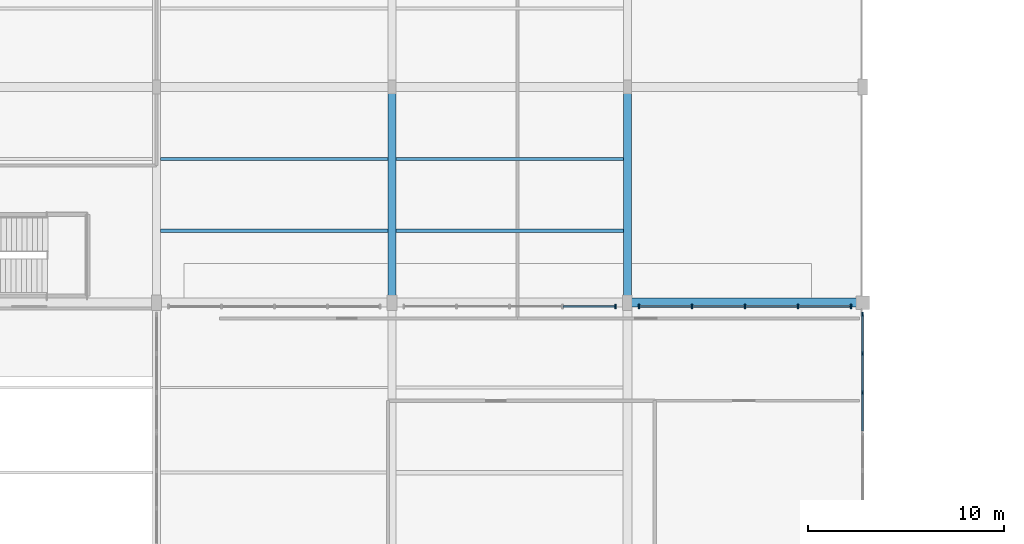
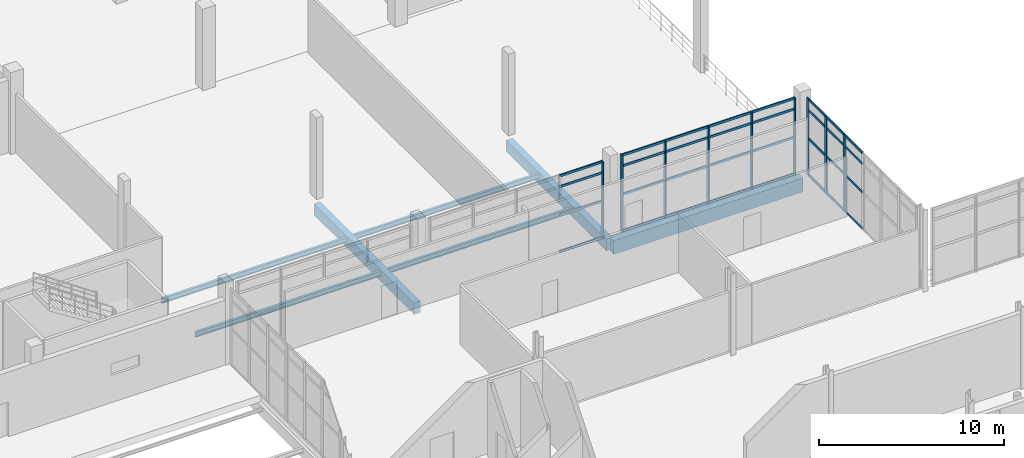
# One storey, part 27 of 85: 41 members, 7 beams, 3 elements without a shape of their own.
"""IFC4 building model written with IfcOpenShell, lengths in metres."""

from ifc_helpers import new_model, si_unit, direction, frame, origin, origin_2d, place, context, subcontext, project, spatial, rectangle, i_section, extrude, material, material_profile, profile_set, type_object, element, aggregate, save


model = new_model("IFC4")

# Units and contexts
model_context = context("Model", 3, precision=1e-05, world=origin(), true_north=direction((0.0, 1.0)))
body_context = subcontext(model_context, "Body", "Model", "MODEL_VIEW")
ifc_project = project(units=[si_unit("LENGTHUNIT", "METRE"), si_unit("AREAUNIT", "SQUARE_METRE"), si_unit("VOLUMEUNIT", "CUBIC_METRE"), si_unit("PLANEANGLEUNIT", "RADIAN"), si_unit("MASSUNIT", "GRAM", prefix="KILO"), si_unit("THERMODYNAMICTEMPERATUREUNIT", "KELVIN"), si_unit("POWERUNIT", "WATT")], contexts=[model_context])

# Site, building, storey
site_placement = place(None, origin())
site = spatial("IfcSite", under=ifc_project, at=site_placement, CompositionType="ELEMENT")
building_placement = place(site_placement, origin())
building = spatial("IfcBuilding", under=site, at=building_placement, Name="Solmara Park Aquatics Centre", CompositionType="ELEMENT")
storey_placement = place(building_placement, origin())
storey = spatial("IfcBuildingStorey", under=building, at=storey_placement, Name="L00", CompositionType="ELEMENT", Elevation=0.0)

# Curtain wall, members
ifc_material_1 = material(Name="Anodised Aluminium Curtain Wall Framing", Category="aluminium")
curtain_wall_type = type_object("IfcCurtainWallType", Name="ARC-CW-SYS02", PredefinedType="USERDEFINED", material=ifc_material_1)
curtain_wall_1_placement = place(storey_placement, origin())
curtain_wall_1 = element("IfcCurtainWall", 1, at=curtain_wall_1_placement, inside=storey, type_object=curtain_wall_type, Name="Curtain Wall CW-100", ObjectType="CURTAIN WALL", PredefinedType="USERDEFINED")
ifc_material_2 = material(Name="Anodised Aluminium Alloy 6063-T6", Category="aluminium")
ifc_material_profile_1 = material_profile(ifc_material_2, rectangle(XDim=0.074951171875, YDim=0.219970703125, at=origin_2d()), Name="ALU MULLION 75x220")
ifc_profile_set_1 = profile_set([ifc_material_profile_1], Name="Anodised Aluminium Alloy 6063-T6")
member_type_1 = type_object("IfcMemberType", Name="ARC-CWM-75x220", PredefinedType="MULLION", material=ifc_profile_set_1)
member_1_placement = place(storey_placement, frame((60.60009765625, 81.026611328125, 0.0), z_axis=(0.0, 0.0, 1.0), x_axis=(1.0, 0.0, 0.0)))
member_1 = element("IfcMember", 2, at=member_1_placement, type_object=member_type_1, Name="CW-100 mullion 2", PredefinedType="MULLION", context=body_context, shape_type="SweptSolid", body=[
    extrude(rectangle(XDim=0.074951171875, YDim=0.219970703125, at=origin_2d()), origin(), (0.0, 0.0, 1.0), 5.080078125),
])
member_2_placement = place(storey_placement, frame((60.60009765625, 83.01318359375, 0.0), z_axis=(0.0, 0.0, 1.0), x_axis=(1.0, 0.0, 0.0)))
member_2 = element("IfcMember", 3, at=member_2_placement, type_object=member_type_1, Name="CW-100 mullion 3", PredefinedType="MULLION", context=body_context, shape_type="SweptSolid", body=[
    extrude(rectangle(XDim=0.074951171875, YDim=0.219970703125, at=origin_2d()), origin(), (0.0, 0.0, 1.0), 5.080078125),
])
member_3_placement = place(storey_placement, frame((60.60009765625, 85.0, 0.0), z_axis=(0.0, 0.0, 1.0), x_axis=(1.0, 0.0, 0.0)))
member_3 = element("IfcMember", 4, at=member_3_placement, type_object=member_type_1, Name="CW-100 mullion 4", PredefinedType="MULLION", context=body_context, shape_type="SweptSolid", body=[
    extrude(rectangle(XDim=0.074951171875, YDim=0.219970703125, at=origin_2d()), origin(), (0.0, 0.0, 1.0), 5.080078125),
])

# Curtain wall, member
curtain_wall_2_placement = place(storey_placement, origin())
curtain_wall_2 = element("IfcCurtainWall", 5, at=curtain_wall_2_placement, inside=storey, type_object=curtain_wall_type, Name="Curtain Wall CW-108", ObjectType="CURTAIN WALL", PredefinedType="USERDEFINED")
member_4_placement = place(storey_placement, frame((48.0, 85.39990234375, 0.0), z_axis=(0.0, 0.0, 1.0), x_axis=(1.0, 0.0, 0.0)))
member_4 = element("IfcMember", 6, at=member_4_placement, type_object=member_type_1, Name="CW-108 mullion 5", PredefinedType="MULLION", context=body_context, shape_type="SweptSolid", body=[
    extrude(rectangle(XDim=0.074951171875, YDim=0.219970703125, at=origin_2d()), origin(), (0.0, 0.0, 1.0), 5.080078125),
])

# Curtain wall, members
curtain_wall_3_placement = place(storey_placement, origin())
curtain_wall_3 = element("IfcCurtainWall", 7, at=curtain_wall_3_placement, inside=storey, type_object=curtain_wall_type, Name="Curtain Wall CW-109", ObjectType="CURTAIN WALL", PredefinedType="USERDEFINED")
member_5_placement = place(storey_placement, frame((49.199951171875, 85.39990234375, 0.0), z_axis=(0.0, 0.0, 1.0), x_axis=(1.0, 0.0, 0.0)))
member_5 = element("IfcMember", 8, at=member_5_placement, type_object=member_type_1, Name="CW-109 mullion 1", PredefinedType="MULLION", context=body_context, shape_type="SweptSolid", body=[
    extrude(rectangle(XDim=0.074951171875, YDim=0.219970703125, at=origin_2d()), origin(), (0.0, 0.0, 1.0), 5.080078125),
])
member_6_placement = place(storey_placement, frame((51.89990234375, 85.39990234375, 0.0), z_axis=(0.0, 0.0, 1.0), x_axis=(1.0, 0.0, 0.0)))
member_6 = element("IfcMember", 9, at=member_6_placement, type_object=member_type_1, Name="CW-109 mullion 2", PredefinedType="MULLION", context=body_context, shape_type="SweptSolid", body=[
    extrude(rectangle(XDim=0.074951171875, YDim=0.219970703125, at=origin_2d()), origin(), (0.0, 0.0, 1.0), 5.080078125),
])
member_7_placement = place(storey_placement, frame((54.60009765625, 85.39990234375, 0.0), z_axis=(0.0, 0.0, 1.0), x_axis=(1.0, 0.0, 0.0)))
member_7 = element("IfcMember", 10, at=member_7_placement, type_object=member_type_1, Name="CW-109 mullion 3", PredefinedType="MULLION", context=body_context, shape_type="SweptSolid", body=[
    extrude(rectangle(XDim=0.074951171875, YDim=0.219970703125, at=origin_2d()), origin(), (0.0, 0.0, 1.0), 5.080078125),
])
member_8_placement = place(storey_placement, frame((57.300048828125, 85.39990234375, 0.0), z_axis=(0.0, 0.0, 1.0), x_axis=(1.0, 0.0, 0.0)))
member_8 = element("IfcMember", 11, at=member_8_placement, type_object=member_type_1, Name="CW-109 mullion 4", PredefinedType="MULLION", context=body_context, shape_type="SweptSolid", body=[
    extrude(rectangle(XDim=0.074951171875, YDim=0.219970703125, at=origin_2d()), origin(), (0.0, 0.0, 1.0), 5.080078125),
])
member_9_placement = place(storey_placement, frame((60.0, 85.39990234375, 0.0), z_axis=(0.0, 0.0, 1.0), x_axis=(1.0, 0.0, 0.0)))
member_9 = element("IfcMember", 12, at=member_9_placement, type_object=member_type_1, Name="CW-109 mullion 5", PredefinedType="MULLION", context=body_context, shape_type="SweptSolid", body=[
    extrude(rectangle(XDim=0.074951171875, YDim=0.219970703125, at=origin_2d()), origin(), (0.0, 0.0, 1.0), 5.080078125),
])

# Member
ifc_material_profile_2 = material_profile(ifc_material_2, rectangle(XDim=0.074951171875, YDim=0.14990234375, at=origin_2d()), Name="ALU TRANSOM 75x150")
ifc_profile_set_2 = profile_set([ifc_material_profile_2], Name="Anodised Aluminium Alloy 6063-T6")
member_type_2 = type_object("IfcMemberType", Name="ARC-CWT-75x150", PredefinedType="USERDEFINED", material=ifc_profile_set_2)
member_10_placement = place(storey_placement, frame((60.60009765625, 79.06005859375, 0.0400390625), z_axis=(0.0, 1.0, 0.0), x_axis=(-1.0, 0.0, 0.0)))
member_10 = element("IfcMember", 13, at=member_10_placement, type_object=member_type_2, Name="CW-100 transom 1", ObjectType="TRANSOM", PredefinedType="USERDEFINED", context=body_context, shape_type="SweptSolid", body=[
    extrude(rectangle(XDim=0.074951171875, YDim=0.14990234375, at=origin_2d()), origin(), (0.0, 0.0, 1.0), 1.90673828125),
])

member_11_placement = place(storey_placement, frame((60.60009765625, 79.06005859375, 2.449951171875), z_axis=(0.0, 1.0, 0.0), x_axis=(-1.0, 0.0, 0.0)))
member_11 = element("IfcMember", 14, at=member_11_placement, type_object=member_type_2, Name="CW-100 transom 2", ObjectType="TRANSOM", PredefinedType="USERDEFINED", context=body_context, shape_type="SweptSolid", body=[
    extrude(rectangle(XDim=0.074951171875, YDim=0.14990234375, at=origin_2d()), origin(), (0.0, 0.0, 1.0), 1.90673828125),
])

member_12_placement = place(storey_placement, frame((60.60009765625, 79.06005859375, 4.330078125), z_axis=(0.0, 1.0, 0.0), x_axis=(-1.0, 0.0, 0.0)))
member_12 = element("IfcMember", 15, at=member_12_placement, type_object=member_type_2, Name="CW-100 transom 3", ObjectType="TRANSOM", PredefinedType="USERDEFINED", context=body_context, shape_type="SweptSolid", body=[
    extrude(rectangle(XDim=0.074951171875, YDim=0.14990234375, at=origin_2d()), origin(), (0.0, 0.0, 1.0), 1.90673828125),
])

member_13_placement = place(storey_placement, frame((60.60009765625, 79.06005859375, 5.0400390625), z_axis=(0.0, 1.0, 0.0), x_axis=(-1.0, 0.0, 0.0)))
member_13 = element("IfcMember", 16, at=member_13_placement, type_object=member_type_2, Name="CW-100 transom 4", ObjectType="TRANSOM", PredefinedType="USERDEFINED", context=body_context, shape_type="SweptSolid", body=[
    extrude(rectangle(XDim=0.074951171875, YDim=0.14990234375, at=origin_2d()), origin(), (0.0, 0.0, 1.0), 1.90673828125),
])

member_14_placement = place(storey_placement, frame((60.60009765625, 81.046630859375, 0.0400390625), z_axis=(0.0, 1.0, 0.0), x_axis=(-1.0, 0.0, 0.0)))
member_14 = element("IfcMember", 17, at=member_14_placement, type_object=member_type_2, Name="CW-100 transom 5", ObjectType="TRANSOM", PredefinedType="USERDEFINED", context=body_context, shape_type="SweptSolid", body=[
    extrude(rectangle(XDim=0.074951171875, YDim=0.14990234375, at=origin_2d()), origin(), (0.0, 0.0, 1.0), 1.90673828125),
])

member_15_placement = place(storey_placement, frame((60.60009765625, 81.046630859375, 2.449951171875), z_axis=(0.0, 1.0, 0.0), x_axis=(-1.0, 0.0, 0.0)))
member_15 = element("IfcMember", 18, at=member_15_placement, type_object=member_type_2, Name="CW-100 transom 6", ObjectType="TRANSOM", PredefinedType="USERDEFINED", context=body_context, shape_type="SweptSolid", body=[
    extrude(rectangle(XDim=0.074951171875, YDim=0.14990234375, at=origin_2d()), origin(), (0.0, 0.0, 1.0), 1.90673828125),
])

member_16_placement = place(storey_placement, frame((60.60009765625, 81.046630859375, 4.330078125), z_axis=(0.0, 1.0, 0.0), x_axis=(-1.0, 0.0, 0.0)))
member_16 = element("IfcMember", 19, at=member_16_placement, type_object=member_type_2, Name="CW-100 transom 7", ObjectType="TRANSOM", PredefinedType="USERDEFINED", context=body_context, shape_type="SweptSolid", body=[
    extrude(rectangle(XDim=0.074951171875, YDim=0.14990234375, at=origin_2d()), origin(), (0.0, 0.0, 1.0), 1.90673828125),
])

member_17_placement = place(storey_placement, frame((60.60009765625, 81.046630859375, 5.0400390625), z_axis=(0.0, 1.0, 0.0), x_axis=(-1.0, 0.0, 0.0)))
member_17 = element("IfcMember", 20, at=member_17_placement, type_object=member_type_2, Name="CW-100 transom 8", ObjectType="TRANSOM", PredefinedType="USERDEFINED", context=body_context, shape_type="SweptSolid", body=[
    extrude(rectangle(XDim=0.074951171875, YDim=0.14990234375, at=origin_2d()), origin(), (0.0, 0.0, 1.0), 1.90673828125),
])

member_18_placement = place(storey_placement, frame((60.60009765625, 83.033203125, 0.0400390625), z_axis=(0.0, 1.0, 0.0), x_axis=(-1.0, 0.0, 0.0)))
member_18 = element("IfcMember", 21, at=member_18_placement, type_object=member_type_2, Name="CW-100 transom 9", ObjectType="TRANSOM", PredefinedType="USERDEFINED", context=body_context, shape_type="SweptSolid", body=[
    extrude(rectangle(XDim=0.074951171875, YDim=0.14990234375, at=origin_2d()), origin(), (0.0, 0.0, 1.0), 1.90673828125),
])

member_19_placement = place(storey_placement, frame((60.60009765625, 83.033203125, 2.449951171875), z_axis=(0.0, 1.0, 0.0), x_axis=(-1.0, 0.0, 0.0)))
member_19 = element("IfcMember", 22, at=member_19_placement, type_object=member_type_2, Name="CW-100 transom 10", ObjectType="TRANSOM", PredefinedType="USERDEFINED", context=body_context, shape_type="SweptSolid", body=[
    extrude(rectangle(XDim=0.074951171875, YDim=0.14990234375, at=origin_2d()), origin(), (0.0, 0.0, 1.0), 1.90673828125),
])

member_20_placement = place(storey_placement, frame((60.60009765625, 83.033203125, 4.330078125), z_axis=(0.0, 1.0, 0.0), x_axis=(-1.0, 0.0, 0.0)))
member_20 = element("IfcMember", 23, at=member_20_placement, type_object=member_type_2, Name="CW-100 transom 11", ObjectType="TRANSOM", PredefinedType="USERDEFINED", context=body_context, shape_type="SweptSolid", body=[
    extrude(rectangle(XDim=0.074951171875, YDim=0.14990234375, at=origin_2d()), origin(), (0.0, 0.0, 1.0), 1.90673828125),
])

member_21_placement = place(storey_placement, frame((60.60009765625, 83.033203125, 5.0400390625), z_axis=(0.0, 1.0, 0.0), x_axis=(-1.0, 0.0, 0.0)))
member_21 = element("IfcMember", 24, at=member_21_placement, type_object=member_type_2, Name="CW-100 transom 12", ObjectType="TRANSOM", PredefinedType="USERDEFINED", context=body_context, shape_type="SweptSolid", body=[
    extrude(rectangle(XDim=0.074951171875, YDim=0.14990234375, at=origin_2d()), origin(), (0.0, 0.0, 1.0), 1.90673828125),
])

aggregate(curtain_wall_1, [member_1, member_2, member_3, member_10, member_11, member_12, member_13, member_14, member_15, member_16, member_17, member_18, member_19, member_20, member_21])

member_22_placement = place(storey_placement, frame((45.320068359375, 85.39990234375, 0.0400390625), z_axis=(1.0, 0.0, 0.0), x_axis=(0.0, 1.0, 0.0)))
member_22 = element("IfcMember", 25, at=member_22_placement, type_object=member_type_2, Name="CW-108 transom 13", ObjectType="TRANSOM", PredefinedType="USERDEFINED", context=body_context, shape_type="SweptSolid", body=[
    extrude(rectangle(XDim=0.074951171875, YDim=0.14990234375, at=origin_2d()), origin(), (0.0, 0.0, 1.0), 2.619873046875),
])

member_23_placement = place(storey_placement, frame((45.320068359375, 85.39990234375, 2.449951171875), z_axis=(1.0, 0.0, 0.0), x_axis=(0.0, 1.0, 0.0)))
member_23 = element("IfcMember", 26, at=member_23_placement, type_object=member_type_2, Name="CW-108 transom 14", ObjectType="TRANSOM", PredefinedType="USERDEFINED", context=body_context, shape_type="SweptSolid", body=[
    extrude(rectangle(XDim=0.074951171875, YDim=0.14990234375, at=origin_2d()), origin(), (0.0, 0.0, 1.0), 2.619873046875),
])

member_24_placement = place(storey_placement, frame((45.320068359375, 85.39990234375, 4.330078125), z_axis=(1.0, 0.0, 0.0), x_axis=(0.0, 1.0, 0.0)))
member_24 = element("IfcMember", 27, at=member_24_placement, type_object=member_type_2, Name="CW-108 transom 15", ObjectType="TRANSOM", PredefinedType="USERDEFINED", context=body_context, shape_type="SweptSolid", body=[
    extrude(rectangle(XDim=0.074951171875, YDim=0.14990234375, at=origin_2d()), origin(), (0.0, 0.0, 1.0), 2.619873046875),
])

member_25_placement = place(storey_placement, frame((45.320068359375, 85.39990234375, 5.0400390625), z_axis=(1.0, 0.0, 0.0), x_axis=(0.0, 1.0, 0.0)))
member_25 = element("IfcMember", 28, at=member_25_placement, type_object=member_type_2, Name="CW-108 transom 16", ObjectType="TRANSOM", PredefinedType="USERDEFINED", context=body_context, shape_type="SweptSolid", body=[
    extrude(rectangle(XDim=0.074951171875, YDim=0.14990234375, at=origin_2d()), origin(), (0.0, 0.0, 1.0), 2.619873046875),
])

aggregate(curtain_wall_2, [member_4, member_22, member_23, member_24, member_25])

member_26_placement = place(storey_placement, frame((49.219970703125, 85.39990234375, 0.0400390625), z_axis=(1.0, 0.0, 0.0), x_axis=(0.0, 1.0, 0.0)))
member_26 = element("IfcMember", 29, at=member_26_placement, type_object=member_type_2, Name="CW-109 transom 1", ObjectType="TRANSOM", PredefinedType="USERDEFINED", context=body_context, shape_type="SweptSolid", body=[
    extrude(rectangle(XDim=0.074951171875, YDim=0.14990234375, at=origin_2d()), origin(), (0.0, 0.0, 1.0), 2.6201171875),
])

member_27_placement = place(storey_placement, frame((49.219970703125, 85.39990234375, 2.449951171875), z_axis=(1.0, 0.0, 0.0), x_axis=(0.0, 1.0, 0.0)))
member_27 = element("IfcMember", 30, at=member_27_placement, type_object=member_type_2, Name="CW-109 transom 2", ObjectType="TRANSOM", PredefinedType="USERDEFINED", context=body_context, shape_type="SweptSolid", body=[
    extrude(rectangle(XDim=0.074951171875, YDim=0.14990234375, at=origin_2d()), origin(), (0.0, 0.0, 1.0), 2.6201171875),
])

member_28_placement = place(storey_placement, frame((49.219970703125, 85.39990234375, 4.330078125), z_axis=(1.0, 0.0, 0.0), x_axis=(0.0, 1.0, 0.0)))
member_28 = element("IfcMember", 31, at=member_28_placement, type_object=member_type_2, Name="CW-109 transom 3", ObjectType="TRANSOM", PredefinedType="USERDEFINED", context=body_context, shape_type="SweptSolid", body=[
    extrude(rectangle(XDim=0.074951171875, YDim=0.14990234375, at=origin_2d()), origin(), (0.0, 0.0, 1.0), 2.6201171875),
])

member_29_placement = place(storey_placement, frame((49.219970703125, 85.39990234375, 5.0400390625), z_axis=(1.0, 0.0, 0.0), x_axis=(0.0, 1.0, 0.0)))
member_29 = element("IfcMember", 32, at=member_29_placement, type_object=member_type_2, Name="CW-109 transom 4", ObjectType="TRANSOM", PredefinedType="USERDEFINED", context=body_context, shape_type="SweptSolid", body=[
    extrude(rectangle(XDim=0.074951171875, YDim=0.14990234375, at=origin_2d()), origin(), (0.0, 0.0, 1.0), 2.6201171875),
])

member_30_placement = place(storey_placement, frame((51.919921875, 85.39990234375, 0.0400390625), z_axis=(1.0, 0.0, 0.0), x_axis=(0.0, 1.0, 0.0)))
member_30 = element("IfcMember", 33, at=member_30_placement, type_object=member_type_2, Name="CW-109 transom 5", ObjectType="TRANSOM", PredefinedType="USERDEFINED", context=body_context, shape_type="SweptSolid", body=[
    extrude(rectangle(XDim=0.074951171875, YDim=0.14990234375, at=origin_2d()), origin(), (0.0, 0.0, 1.0), 2.6201171875),
])

member_31_placement = place(storey_placement, frame((51.919921875, 85.39990234375, 2.449951171875), z_axis=(1.0, 0.0, 0.0), x_axis=(0.0, 1.0, 0.0)))
member_31 = element("IfcMember", 34, at=member_31_placement, type_object=member_type_2, Name="CW-109 transom 6", ObjectType="TRANSOM", PredefinedType="USERDEFINED", context=body_context, shape_type="SweptSolid", body=[
    extrude(rectangle(XDim=0.074951171875, YDim=0.14990234375, at=origin_2d()), origin(), (0.0, 0.0, 1.0), 2.6201171875),
])

member_32_placement = place(storey_placement, frame((51.919921875, 85.39990234375, 4.330078125), z_axis=(1.0, 0.0, 0.0), x_axis=(0.0, 1.0, 0.0)))
member_32 = element("IfcMember", 35, at=member_32_placement, type_object=member_type_2, Name="CW-109 transom 7", ObjectType="TRANSOM", PredefinedType="USERDEFINED", context=body_context, shape_type="SweptSolid", body=[
    extrude(rectangle(XDim=0.074951171875, YDim=0.14990234375, at=origin_2d()), origin(), (0.0, 0.0, 1.0), 2.6201171875),
])

member_33_placement = place(storey_placement, frame((51.919921875, 85.39990234375, 5.0400390625), z_axis=(1.0, 0.0, 0.0), x_axis=(0.0, 1.0, 0.0)))
member_33 = element("IfcMember", 36, at=member_33_placement, type_object=member_type_2, Name="CW-109 transom 8", ObjectType="TRANSOM", PredefinedType="USERDEFINED", context=body_context, shape_type="SweptSolid", body=[
    extrude(rectangle(XDim=0.074951171875, YDim=0.14990234375, at=origin_2d()), origin(), (0.0, 0.0, 1.0), 2.6201171875),
])

member_34_placement = place(storey_placement, frame((54.6201171875, 85.39990234375, 0.0400390625), z_axis=(1.0, 0.0, 0.0), x_axis=(0.0, 1.0, 0.0)))
member_34 = element("IfcMember", 37, at=member_34_placement, type_object=member_type_2, Name="CW-109 transom 9", ObjectType="TRANSOM", PredefinedType="USERDEFINED", context=body_context, shape_type="SweptSolid", body=[
    extrude(rectangle(XDim=0.074951171875, YDim=0.14990234375, at=origin_2d()), origin(), (0.0, 0.0, 1.0), 2.619873046875),
])

member_35_placement = place(storey_placement, frame((54.6201171875, 85.39990234375, 2.449951171875), z_axis=(1.0, 0.0, 0.0), x_axis=(0.0, 1.0, 0.0)))
member_35 = element("IfcMember", 38, at=member_35_placement, type_object=member_type_2, Name="CW-109 transom 10", ObjectType="TRANSOM", PredefinedType="USERDEFINED", context=body_context, shape_type="SweptSolid", body=[
    extrude(rectangle(XDim=0.074951171875, YDim=0.14990234375, at=origin_2d()), origin(), (0.0, 0.0, 1.0), 2.619873046875),
])

member_36_placement = place(storey_placement, frame((54.6201171875, 85.39990234375, 4.330078125), z_axis=(1.0, 0.0, 0.0), x_axis=(0.0, 1.0, 0.0)))
member_36 = element("IfcMember", 39, at=member_36_placement, type_object=member_type_2, Name="CW-109 transom 11", ObjectType="TRANSOM", PredefinedType="USERDEFINED", context=body_context, shape_type="SweptSolid", body=[
    extrude(rectangle(XDim=0.074951171875, YDim=0.14990234375, at=origin_2d()), origin(), (0.0, 0.0, 1.0), 2.619873046875),
])

member_37_placement = place(storey_placement, frame((54.6201171875, 85.39990234375, 5.0400390625), z_axis=(1.0, 0.0, 0.0), x_axis=(0.0, 1.0, 0.0)))
member_37 = element("IfcMember", 40, at=member_37_placement, type_object=member_type_2, Name="CW-109 transom 12", ObjectType="TRANSOM", PredefinedType="USERDEFINED", context=body_context, shape_type="SweptSolid", body=[
    extrude(rectangle(XDim=0.074951171875, YDim=0.14990234375, at=origin_2d()), origin(), (0.0, 0.0, 1.0), 2.619873046875),
])

member_38_placement = place(storey_placement, frame((57.320068359375, 85.39990234375, 0.0400390625), z_axis=(1.0, 0.0, 0.0), x_axis=(0.0, 1.0, 0.0)))
member_38 = element("IfcMember", 41, at=member_38_placement, type_object=member_type_2, Name="CW-109 transom 13", ObjectType="TRANSOM", PredefinedType="USERDEFINED", context=body_context, shape_type="SweptSolid", body=[
    extrude(rectangle(XDim=0.074951171875, YDim=0.14990234375, at=origin_2d()), origin(), (0.0, 0.0, 1.0), 2.619873046875),
])

member_39_placement = place(storey_placement, frame((57.320068359375, 85.39990234375, 2.449951171875), z_axis=(1.0, 0.0, 0.0), x_axis=(0.0, 1.0, 0.0)))
member_39 = element("IfcMember", 42, at=member_39_placement, type_object=member_type_2, Name="CW-109 transom 14", ObjectType="TRANSOM", PredefinedType="USERDEFINED", context=body_context, shape_type="SweptSolid", body=[
    extrude(rectangle(XDim=0.074951171875, YDim=0.14990234375, at=origin_2d()), origin(), (0.0, 0.0, 1.0), 2.619873046875),
])

member_40_placement = place(storey_placement, frame((57.320068359375, 85.39990234375, 4.330078125), z_axis=(1.0, 0.0, 0.0), x_axis=(0.0, 1.0, 0.0)))
member_40 = element("IfcMember", 43, at=member_40_placement, type_object=member_type_2, Name="CW-109 transom 15", ObjectType="TRANSOM", PredefinedType="USERDEFINED", context=body_context, shape_type="SweptSolid", body=[
    extrude(rectangle(XDim=0.074951171875, YDim=0.14990234375, at=origin_2d()), origin(), (0.0, 0.0, 1.0), 2.619873046875),
])

member_41_placement = place(storey_placement, frame((57.320068359375, 85.39990234375, 5.0400390625), z_axis=(1.0, 0.0, 0.0), x_axis=(0.0, 1.0, 0.0)))
member_41 = element("IfcMember", 44, at=member_41_placement, type_object=member_type_2, Name="CW-109 transom 16", ObjectType="TRANSOM", PredefinedType="USERDEFINED", context=body_context, shape_type="SweptSolid", body=[
    extrude(rectangle(XDim=0.074951171875, YDim=0.14990234375, at=origin_2d()), origin(), (0.0, 0.0, 1.0), 2.619873046875),
])

aggregate(curtain_wall_3, [member_5, member_6, member_7, member_8, member_9, member_26, member_27, member_28, member_29, member_30, member_31, member_32, member_33, member_34, member_35, member_36, member_37, member_38, member_39, member_40, member_41])

# Beams
ifc_material_3 = material(Name="Concrete C40/50", Category="concrete")
ifc_material_profile_3 = material_profile(ifc_material_3, rectangle(XDim=0.39990234375, YDim=0.75, at=origin_2d()), Name="RC 400x750")
ifc_profile_set_3 = profile_set([ifc_material_profile_3], Name="Concrete C40/50")
beam_type_1 = type_object("IfcBeamType", Name="STR-BM-RC400x750", PredefinedType="BEAM", material=ifc_profile_set_3)
for number, where, z_axis, x_axis, name in (
    (45, (36.60009765625, 85.679931640625, -0.794921875), (0.0, 1.0, 0.0), (-1.0, 0.0, 0.0), "Girder BM-L00-0117"),
    (46, (48.60009765625, 85.679931640625, -0.794921875), (0.0, 1.0, 0.0), (-1.0, 0.0, 0.0), "Girder BM-L00-0120"),
):
    element("IfcBeam", number, at=place(storey_placement, frame(where, z_axis=z_axis, x_axis=x_axis)), inside=storey, type_object=beam_type_1, Name=name, PredefinedType="BEAM", context=body_context, shape_type="SweptSolid", body=[
        extrude(rectangle(XDim=0.39990234375, YDim=0.75, at=origin_2d()), origin(), (0.0, 0.0, 1.0), 10.840087890625),
    ])
ifc_material_profile_4 = material_profile(ifc_material_3, rectangle(XDim=0.449951171875, YDim=0.89990234375, at=origin_2d()), Name="RC 450x900")
ifc_profile_set_4 = profile_set([ifc_material_profile_4], Name="Concrete C40/50")
beam_type_2 = type_object("IfcBeamType", Name="STR-BM-RC450x900", PredefinedType="BEAM", material=ifc_profile_set_4)
beam_placement = place(storey_placement, frame((48.679931640625, 85.60009765625, -0.8701171875), z_axis=(1.0, 0.0, 0.0), x_axis=(0.0, 1.0, 0.0)))
element("IfcBeam", 47, at=beam_placement, inside=storey, type_object=beam_type_2, Name="Girder BM-L00-0101", PredefinedType="BEAM", context=body_context, shape_type="SweptSolid", body=[
    extrude(rectangle(XDim=0.449951171875, YDim=0.89990234375, at=origin_2d()), origin(), (0.0, 0.0, 1.0), 11.840087890625),
])
ifc_material_4 = material(Name="Structural Steel S355", Category="steel")
ifc_material_profile_5 = material_profile(ifc_material_4, i_section(OverallWidth=0.159912109375, OverallDepth=0.330078125, WebThickness=0.007568359375, FlangeThickness=0.011474609375, FilletRadius=0.01806640625, at=origin_2d()), Name="IPE 330")
ifc_profile_set_5 = profile_set([ifc_material_profile_5], Name="Structural Steel S355")
beam_type_3 = type_object("IfcBeamType", Name="STR-JST-IPE330", PredefinedType="JOIST", material=ifc_profile_set_5)
for number, where, z_axis, x_axis, name in (
    (48, (24.800048828125, 89.2666015625, -0.5849609375), (1.0, 0.0, 0.0), (0.0, 1.0, 0.0), "Floor Joist JST-L00-0065"),
    (49, (24.800048828125, 92.933349609375, -0.5849609375), (1.0, 0.0, 0.0), (0.0, 1.0, 0.0), "Floor Joist JST-L00-0066"),
    (50, (36.800048828125, 89.2666015625, -0.5849609375), (1.0, 0.0, 0.0), (0.0, 1.0, 0.0), "Floor Joist JST-L00-0071"),
    (51, (36.800048828125, 92.933349609375, -0.5849609375), (1.0, 0.0, 0.0), (0.0, 1.0, 0.0), "Floor Joist JST-L00-0072"),
):
    element("IfcBeam", number, at=place(storey_placement, frame(where, z_axis=z_axis, x_axis=x_axis)), inside=storey, type_object=beam_type_3, Name=name, PredefinedType="JOIST", context=body_context, shape_type="SweptSolid", body=[
        extrude(i_section(OverallWidth=0.159912109375, OverallDepth=0.330078125, WebThickness=0.007568359375, FlangeThickness=0.011474609375, FilletRadius=0.01806640625, at=origin_2d()), origin(), (0.0, 0.0, 1.0), 11.599853515625),
    ])

save(model, "model.ifc")
